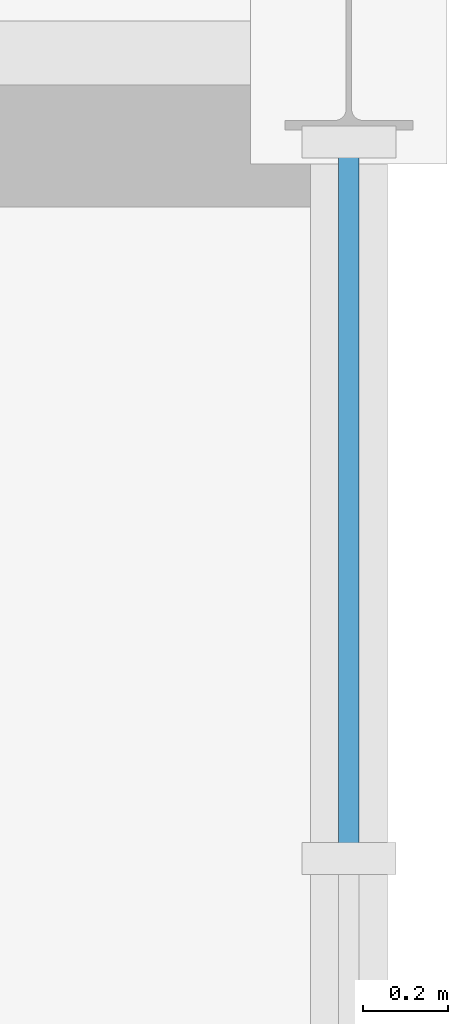
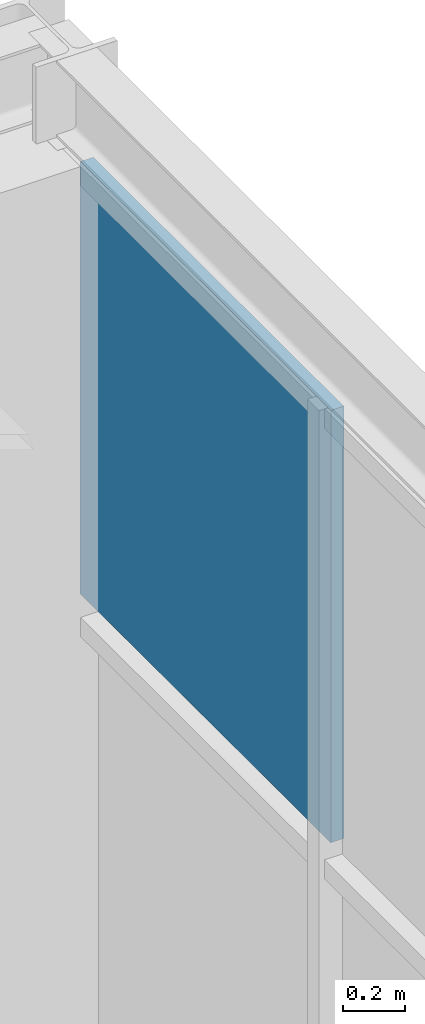
# One storey, part 18 of 30: 1 plate, 1 element without a shape of its own.
"""IFC4 building model written with IfcOpenShell, lengths in metres."""

from ifc_helpers import new_model, si_unit, direction, frame, origin, origin_2d, place, context, subcontext, project, spatial, rectangle, extrude, material, layer, layer_set, type_object, element, aggregate, save


model = new_model("IFC4")

# Units and contexts
model_context = context("Model", 3, precision=1e-05, world=origin(), true_north=direction((0.0, 1.0)))
body_context = subcontext(model_context, "Body", "Model", "MODEL_VIEW")
ifc_project = project(units=[si_unit("LENGTHUNIT", "METRE"), si_unit("AREAUNIT", "SQUARE_METRE"), si_unit("VOLUMEUNIT", "CUBIC_METRE"), si_unit("PLANEANGLEUNIT", "RADIAN"), si_unit("MASSUNIT", "GRAM", prefix="KILO")], contexts=[model_context])

# Site, building, storey
site_placement = place(None, origin())
site = spatial("IfcSite", under=ifc_project, at=site_placement, CompositionType="ELEMENT")
building_placement = place(site_placement, origin())
building = spatial("IfcBuilding", under=site, at=building_placement, Name="Leyfeld Transit Interchange", CompositionType="ELEMENT")
storey_placement = place(building_placement, frame((0.0, 0.0, 13.800048828125)))
storey = spatial("IfcBuildingStorey", under=building, at=storey_placement, Name="L03", CompositionType="ELEMENT", Elevation=13.800048828125)

# Curtain wall, plate
ifc_material_1 = material(Name="Anodised aluminium EN AW-6060 T66", Category="aluminium")
curtain_wall_type = type_object("IfcCurtainWallType", Name="CW-SYS-BUS-7200", PredefinedType="NOTDEFINED", material=ifc_material_1)
curtain_wall_placement = place(storey_placement, origin())
curtain_wall = element("IfcCurtainWall", 1, at=curtain_wall_placement, inside=storey, type_object=curtain_wall_type, Name="Curtain Wall CW-L03-131", PredefinedType="NOTDEFINED")
ifc_material_2 = material(Name="Laminated safety acoustic glazing", Category="glass")
ifc_layer = layer(ifc_material_2, 0.048095703125, Name="Laminated safety acoustic glazing")
ifc_layer_set = layer_set([ifc_layer], Name="Laminated safety acoustic glazing")
plate_type = type_object("IfcPlateType", Name="CW-PNL-ACU-48", PredefinedType="CURTAIN_PANEL", material=ifc_layer_set)
plate_placement = place(storey_placement, frame((180.0, 85.353759765625, 1.8359375), z_axis=(0.0, 0.0, 1.0), x_axis=(0.0, -1.0, 0.0)))
plate = element("IfcPlate", 2, at=plate_placement, type_object=plate_type, Name="Glazed Curtain Panel CW-L03-131-P01_2", PredefinedType="CURTAIN_PANEL", context=body_context, shape_type="SweptSolid", body=[
    extrude(rectangle(XDim=1.60546875, YDim=0.048095703125, at=origin_2d()), origin(), (0.0, 0.0, 1.0), 1.6904296875),
])
aggregate(curtain_wall, [plate])

save(model, "model.ifc")
